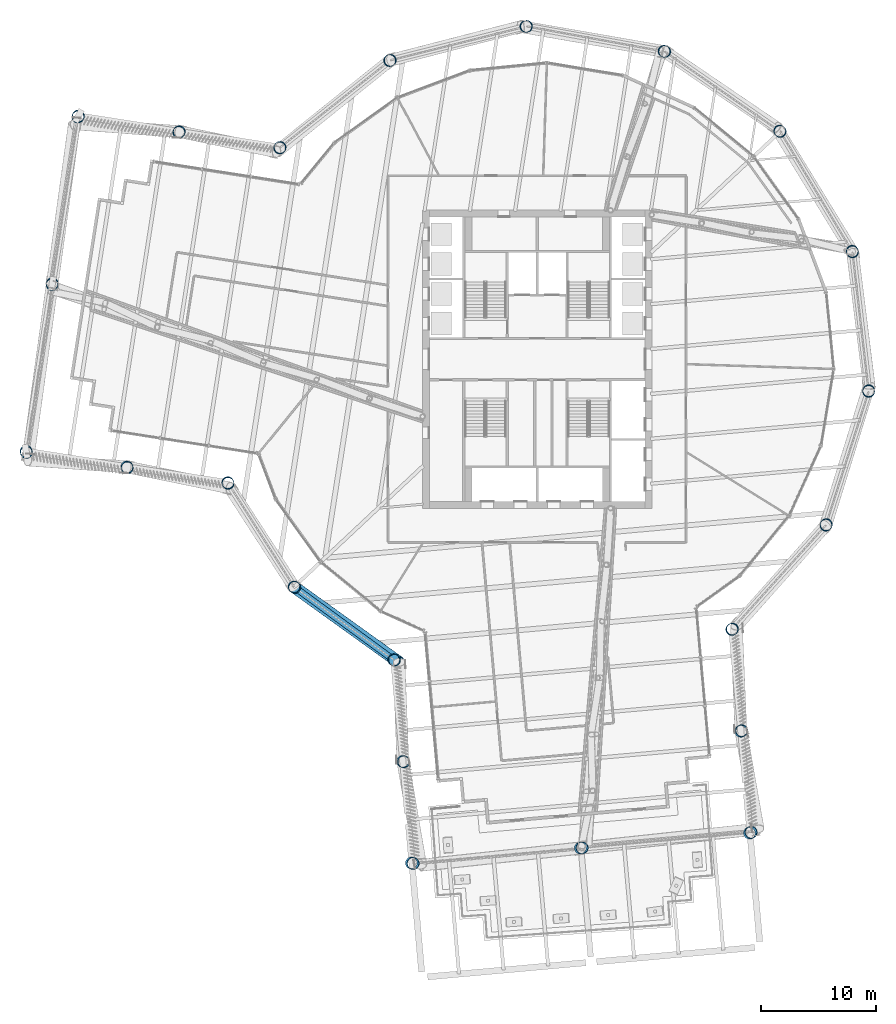
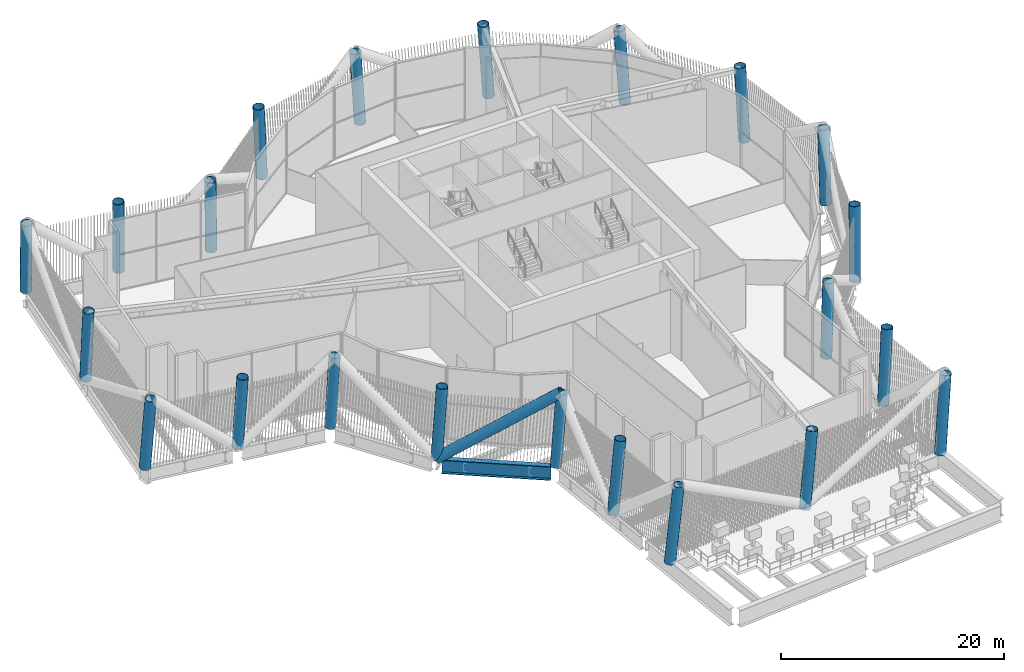
# One storey, part 1 of 55: 22 columns, 1 beam, 1 member.
"""IFC4 building model written with IfcOpenShell, lengths in metres."""

import ifcopenshell
import ifcopenshell.guid

model = None  # the IFC model being written
_history = None  # IfcOwnerHistory: only IFC2X3 demands one
_inside = {}  # id of a spatial element -> (the spatial element, [elements in it])
_under = {}  # id of a project, library or spatial element -> (it, [spatial elements below it])
_declared = {}  # id of a project -> (the project, [libraries it declares])
_typed = {}  # id of a type object -> (the type object, [elements of that type])
_made_of = {}  # id of a material, layer set ... -> (it, [elements and type objects made of it])


def new_model(schema):
    """Start an empty IFC model of exactly this schema.

    Asked for "IFC4X3", IfcOpenShell would pick the latest addendum, in which some entities
    have other attributes; the version numbers below select the first issue.
    IFC2X3 requires an IfcOwnerHistory on every rooted entity: one is made here for all.
    """
    global model, _history
    if schema == "IFC4X3":
        model = ifcopenshell.file(schema_version=(4, 3, 0, 0))
    else:
        model = ifcopenshell.file(schema=schema)
    _inside.clear()
    _under.clear()
    _declared.clear()
    _typed.clear()
    _made_of.clear()
    _history = None
    if model.schema == "IFC2X3":
        org = make("IfcOrganization", Name="unknown")
        user = make(
            "IfcPersonAndOrganization",
            ThePerson=make("IfcPerson", FamilyName="unknown"),
            TheOrganization=org,
        )
        app = make(
            "IfcApplication",
            ApplicationDeveloper=org,
            Version="unknown",
            ApplicationFullName="unknown",
            ApplicationIdentifier="unknown",
        )
        _history = make(
            "IfcOwnerHistory",
            OwningUser=user,
            OwningApplication=app,
            ChangeAction="ADDED",
            CreationDate=0,
        )
    return model


def make(cls, **values):
    """One entity of the class cls with the attributes given. An attribute that is None is left unset."""
    return model.create_entity(
        cls, **{name: value for name, value in values.items() if value is not None}
    )


def rooted(cls, **values):
    """An entity with a GlobalId (a new one), such as an element, a storey or a relation."""
    return make(cls, GlobalId=ifcopenshell.guid.new(), OwnerHistory=_history, **values)


def si_unit(unit_type, name, prefix=None):
    """IfcSIUnit, for example si_unit("LENGTHUNIT", "METRE", prefix="MILLI")."""
    return make("IfcSIUnit", UnitType=unit_type, Prefix=prefix, Name=name)


def assignment(units):
    """IfcUnitAssignment: the units of a project."""
    return None if units is None else make("IfcUnitAssignment", Units=units)


def point(xyz):
    """IfcCartesianPoint."""
    return None if xyz is None else make("IfcCartesianPoint", Coordinates=xyz)


def direction(xyz):
    """IfcDirection."""
    return None if xyz is None else make("IfcDirection", DirectionRatios=xyz)


def frame(location, z_axis=None, x_axis=None):
    """IfcAxis2Placement3D, a coordinate frame: its origin and axes. An axis left out is left unset."""
    return make(
        "IfcAxis2Placement3D",
        Location=point(location),
        Axis=direction(z_axis),
        RefDirection=direction(x_axis),
    )


def frame_2d(location, x_axis=None):
    """IfcAxis2Placement2D, a coordinate frame in the plane: its origin and x axis."""
    return make(
        "IfcAxis2Placement2D", Location=point(location), RefDirection=direction(x_axis)
    )


def origin():
    """The frame at (0, 0, 0) with its axes left unset."""
    return frame((0.0, 0.0, 0.0))


def origin_2d():
    """The frame at (0, 0) in the plane with its x axis left unset."""
    return frame_2d((0.0, 0.0))


def place(relative_to, where):
    """IfcLocalPlacement: puts the frame where relative to a parent placement (None: the world)."""
    return make(
        "IfcLocalPlacement", PlacementRelTo=relative_to, RelativePlacement=where
    )


def context(
    kind, dimensions, precision=None, world=None, true_north=None, identifier=None
):
    """IfcGeometricRepresentationContext, for example the 3D "Model" context."""
    return make(
        "IfcGeometricRepresentationContext",
        ContextIdentifier=identifier,
        ContextType=kind,
        CoordinateSpaceDimension=dimensions,
        Precision=precision,
        WorldCoordinateSystem=world,
        TrueNorth=true_north,
    )


def subcontext(parent, identifier, kind, view, scale=None):
    """IfcGeometricRepresentationSubContext, for example "Body" below "Model"."""
    return make(
        "IfcGeometricRepresentationSubContext",
        ContextIdentifier=identifier,
        ContextType=kind,
        ParentContext=parent,
        TargetScale=scale,
        TargetView=view,
    )


def project(units=None, contexts=None):
    """IfcProject with its units and contexts."""
    return rooted(
        "IfcProject",
        Name="project",
        RepresentationContexts=contexts,
        UnitsInContext=assignment(units),
    )


def spatial(cls, under=None, at=None, **own):
    """A site, building, storey or space (cls), placed at a placement, below another one or the project."""
    s = rooted(cls, ObjectPlacement=at, **own)
    if under is not None:
        _under.setdefault(under.id(), (under, []))[1].append(s)
    return s


def profile(cls, at=None, kind="AREA", **sizes):
    """A parametric profile (cls). Its sizes go by their IFC names, for example OverallWidth=200.0."""
    return make(cls, ProfileType=kind, Position=at, **sizes)


def hollow_circle(**sizes):
    """IfcCircleHollowProfileDef."""
    return profile("IfcCircleHollowProfileDef", **sizes)


def i_section(**sizes):
    """IfcIShapeProfileDef."""
    return profile("IfcIShapeProfileDef", **sizes)


def extrude(swept, where, along, depth):
    """IfcExtrudedAreaSolid: the profile swept, set in the frame where, extruded along a direction by depth."""
    return make(
        "IfcExtrudedAreaSolid",
        SweptArea=swept,
        Position=where,
        ExtrudedDirection=direction(along),
        Depth=depth,
    )


def shape(context_of_items, identifier, shape_type, items):
    """IfcShapeRepresentation: the items that make up one representation, for example the "Body"."""
    return make(
        "IfcShapeRepresentation",
        ContextOfItems=context_of_items,
        RepresentationIdentifier=identifier,
        RepresentationType=shape_type,
        Items=items,
    )


def material(Name=None, Category=None):
    """IfcMaterial."""
    return make("IfcMaterial", Name=Name, Category=Category)


def material_profile(
    of_material, cross_section, Name=None, Category=None, Priority=None
):
    """IfcMaterialProfile: a cross section and its material."""
    return make(
        "IfcMaterialProfile",
        Name=Name,
        Material=of_material,
        Profile=cross_section,
        Priority=Priority,
        Category=Category,
    )


def profile_set(profiles, Name=None, composite=None):
    """IfcMaterialProfileSet."""
    return make(
        "IfcMaterialProfileSet",
        Name=Name,
        MaterialProfiles=profiles,
        CompositeProfile=composite,
    )


def made_of(thing, what):
    """Note that an element or type object is made of a material, layer set ...; save() writes the relation."""
    if what is not None:
        _made_of.setdefault(what.id(), (what, []))[1].append(thing)
    return thing


def type_object(cls, material=None, **own):
    """A type object (cls), such as IfcWallType, which elements share."""
    return made_of(rooted(cls, **own), material)


def element(
    cls,
    number,
    at=None,
    inside=None,
    cuts=None,
    type_object=None,
    material=None,
    context=None,
    identifier="Body",
    shape_type=None,
    held_by="IfcProductDefinitionShape",
    body=None,
    shapes=None,
    **own,
):
    """One element of the class cls, such as IfcWall. Its Tag is "e" and its number.

    at: its placement. inside: the storey or other place that contains it. cuts: it is an
    opening in that element (IfcRelVoidsElement). A single representation is given by context,
    identifier, shape_type and body (its items); several are given by shapes. held_by: the class
    of the entity that holds the representations. save() writes the other relations.
    """
    e = rooted(cls, Tag="e%d" % number, ObjectPlacement=at, **own)
    if body is not None:
        shapes = [shape(context, identifier, shape_type, body)]
    if shapes is not None:
        e.Representation = make(held_by, Representations=shapes)
    if inside is not None:
        _inside.setdefault(inside.id(), (inside, []))[1].append(e)
    if cuts is not None:
        rooted(
            "IfcRelVoidsElement", RelatingBuildingElement=cuts, RelatedOpeningElement=e
        )
    if type_object is not None:
        _typed.setdefault(type_object.id(), (type_object, []))[1].append(e)
    return made_of(e, material)


def aggregate(whole, parts):
    """IfcRelAggregates: a whole, such as a stair, and the parts it consists of."""
    return rooted("IfcRelAggregates", RelatingObject=whole, RelatedObjects=parts)


def save(model, path):
    """Write the relations noted so far, then the file.

    IfcRelAggregates (storeys below a building ...), IfcRelContainedInSpatialStructure (elements
    in a storey), IfcRelDefinesByType, IfcRelAssociatesMaterial and IfcRelDeclares: one each for
    every whole, place, type object, material and project.
    """
    for whole, parts in _under.values():
        aggregate(whole, parts)
    for where, things in _inside.values():
        rooted(
            "IfcRelContainedInSpatialStructure",
            RelatedElements=things,
            RelatingStructure=where,
        )
    for kind, things in _typed.values():
        rooted("IfcRelDefinesByType", RelatedObjects=things, RelatingType=kind)
    for what, things in _made_of.values():
        rooted("IfcRelAssociatesMaterial", RelatedObjects=things, RelatingMaterial=what)
    for by, libraries in _declared.values():
        rooted("IfcRelDeclares", RelatingContext=by, RelatedDefinitions=libraries)
    model.write(path)


model = new_model("IFC4")

# Units and contexts
model_context = context("Model", 3, precision=1e-05, world=origin(), true_north=direction((0.0, 1.0)))
body_context = subcontext(model_context, "Body", "Model", "MODEL_VIEW")
ifc_project = project(units=[si_unit("LENGTHUNIT", "METRE"), si_unit("AREAUNIT", "SQUARE_METRE"), si_unit("VOLUMEUNIT", "CUBIC_METRE"), si_unit("PLANEANGLEUNIT", "RADIAN"), si_unit("MASSUNIT", "GRAM", prefix="KILO")], contexts=[model_context])

# Site, building, storey
site_placement = place(None, origin())
site = spatial("IfcSite", under=ifc_project, at=site_placement, CompositionType="ELEMENT")
building_placement = place(site_placement, origin())
building = spatial("IfcBuilding", under=site, at=building_placement, Name="Tarsis Ring Headquarters", CompositionType="ELEMENT")
storey_placement = place(building_placement, frame((0.0, 0.0, 247.199951171875)))
storey = spatial("IfcBuildingStorey", under=building, at=storey_placement, Name="L58", CompositionType="ELEMENT", Elevation=247.199951171875)

# Columns
ifc_material = material(Name="Structural steel S355", Category="steel")
ifc_material_profile_1 = material_profile(ifc_material, hollow_circle(Radius=0.533447265625, WallThickness=0.044921875, at=origin_2d()), Name="CHS 1067x45")
ifc_profile_set_1 = profile_set([ifc_material_profile_1], Name="Structural steel S355")
column_type = type_object("IfcColumnType", Name="XC Exo column CHS 1067x45", PredefinedType="COLUMN", material=ifc_profile_set_1)
for number, where, z_axis, x_axis, name in (
    (1, (-21.2021484375, -19.856689453125, 0.02490234375), (0.043633527571, -0.045776928925, 0.997998290605), (0.723850007903, 0.689957365392, 0.0), "Exo column XC5 F1"),
    (2, (-12.5087890625, -26.21728515625, 0.02490234375), (0.057290133549, -0.026731312981, 0.997999638028), (0.422832434227, 0.906207885954, 0.0), "Exo column XC5 AK"),
):
    element("IfcColumn", number, at=place(storey_placement, frame(where, z_axis=z_axis, x_axis=x_axis)), inside=storey, type_object=column_type, Name=name, PredefinedType="COLUMN", context=body_context, shape_type="SweptSolid", body=[
        extrude(hollow_circle(Radius=0.533447265625, WallThickness=0.044921875, at=origin_2d()), origin(), (0.0, 0.0, 1.0), 7.97314453125),
    ])
column_1_placement = place(storey_placement, frame((-11.720458984375, -35.081787109375, -0.059814453125), z_axis=(0.076510841147, -0.024797142421, 0.996760348787), x_axis=(0.308311366796, 0.951285499261, 0.0)))
element("IfcColumn", 3, at=column_1_placement, inside=storey, type_object=column_type, Name="Exo column XC5 AI1", PredefinedType="COLUMN", context=body_context, shape_type="SweptSolid", body=[
    extrude(hollow_circle(Radius=0.533447265625, WallThickness=0.044921875, at=origin_2d()), origin(), (0.0, 0.0, 1.0), 8.0634765625),
])
column_2_placement = place(storey_placement, frame((-10.9560546875, -43.941650390625, -0.359619140625), z_axis=(0.095640103632, -0.022889476022, 0.99515277343), x_axis=(0.232756122103, 0.97253513439, 0.0)))
element("IfcColumn", 4, at=column_2_placement, inside=storey, type_object=column_type, Name="Exo column XC5 AT1", PredefinedType="COLUMN", context=body_context, shape_type="SweptSolid", body=[
    extrude(hollow_circle(Radius=0.533447265625, WallThickness=0.044921875, at=origin_2d()), origin(), (0.0, 0.0, 1.0), 8.372802734375),
])
column_3_placement = place(storey_placement, frame((3.7861328125, -42.632568359375, -0.359619140625), z_axis=(0.092522690076, 0.009100592467, 0.995668986681), x_axis=(-0.097888269922, 0.995197410875, 0.0)))
element("IfcColumn", 5, at=column_3_placement, inside=storey, type_object=column_type, Name="Exo column XC5 AT2", PredefinedType="COLUMN", context=body_context, shape_type="SweptSolid", body=[
    extrude(hollow_circle(Radius=0.533447265625, WallThickness=0.044921875, at=origin_2d()), origin(), (0.0, 0.0, 1.0), 8.369873046875),
])
column_4_placement = place(storey_placement, frame((18.5283203125, -41.3232421875, -0.359619140625), z_axis=(0.089312974351, 0.041084551374, 0.995155893441), x_axis=(-0.417910504244, 0.908488200497, 0.0)))
element("IfcColumn", 6, at=column_4_placement, inside=storey, type_object=column_type, Name="Exo column XC5 AT3", PredefinedType="COLUMN", context=body_context, shape_type="SweptSolid", body=[
    extrude(hollow_circle(Radius=0.533447265625, WallThickness=0.044921875, at=origin_2d()), origin(), (0.0, 0.0, 1.0), 8.372802734375),
])
column_5_placement = place(storey_placement, frame((17.76171875, -32.444091796875, -0.059814453125), z_axis=(0.070213125636, 0.039239418208, 0.996759943541), x_axis=(-0.487846667506, 0.872929337921, 0.0)))
element("IfcColumn", 7, at=column_5_placement, inside=storey, type_object=column_type, Name="Exo column XC5 AO1", PredefinedType="COLUMN", context=body_context, shape_type="SweptSolid", body=[
    extrude(hollow_circle(Radius=0.533447265625, WallThickness=0.044921875, at=origin_2d()), origin(), (0.0, 0.0, 1.0), 8.0634765625),
])
for number, where, z_axis, x_axis, name in (
    (8, (16.972900390625, -23.573974609375, 0.02490234375), (0.051012934369, 0.037387030531, 0.997997941118), (-0.591132764229, 0.806574271258, 0.0), "Exo column XC5 AJ"),
    (9, (25.180908203125, -14.482177734375, 0.02490234375), (0.031048714946, 0.055085441999, 0.997998783256), (-0.871148443134, 0.491019745046, 0.0), "Exo column XC5 R1"),
    (10, (28.91162109375, -2.8154296875, 0.02490234375), (0.005603455127, 0.063015905197, 0.99799679207), (-0.996069794521, 0.088571803886, 0.0), "Exo column XC5 R2"),
    (11, (27.501953125, 9.35205078125, 0.02490234375), (-0.02088283387, 0.059708982474, 0.997997367061), (-0.943933799005, -0.330134795344, 0.0), "Exo column XC5 R3"),
    (12, (21.2021484375, 19.856689453125, 0.02490234375), (-0.043633527571, 0.045776928925, 0.997998290605), (-0.723850007903, -0.689957365392, 0.0), "Exo column XC5 R4"),
    (13, (11.132568359375, 26.83056640625, 0.02490234375), (-0.058637276576, 0.02373049052, 0.997997261327), (-0.375143243453, -0.926966853178, 0.0), "Exo column XC5 R5"),
    (14, (-0.91650390625, 29.033935546875, 0.02490234375), (-0.063199680381, -0.002541460015, 0.99799766602), (0.040180703316, -0.999192429455, 0.0), "Exo column XC5 R6"),
    (15, (-12.802490234375, 26.074951171875, 0.02490234375), (-0.056555089967, -0.028354094916, 0.997996777099), (0.448181327825, -0.893942670079, 0.0), "Exo column XC5 R7"),
    (16, (-22.412353515625, 18.479736328125, 0.02490234375), (-0.039806018154, -0.049145122414, 0.997998115159), (0.777075718481, -0.629407124004, 0.0), "Exo column XC5 BJ"),
):
    element("IfcColumn", number, at=place(storey_placement, frame(where, z_axis=z_axis, x_axis=x_axis)), inside=storey, type_object=column_type, Name=name, PredefinedType="COLUMN", context=body_context, shape_type="SweptSolid", body=[
        extrude(hollow_circle(Radius=0.533447265625, WallThickness=0.044921875, at=origin_2d()), origin(), (0.0, 0.0, 1.0), 7.97314453125),
    ])
column_6_placement = place(storey_placement, frame((-31.208251953125, 19.85302734375, 0.031494140625), z_axis=(-0.042569131573, -0.068233111615, 0.996760809581), x_axis=(0.848425894603, -0.529314180206, 0.0)))
element("IfcColumn", 17, at=column_6_placement, inside=storey, type_object=column_type, Name="Exo column XC5 BO1", PredefinedType="COLUMN", context=body_context, shape_type="SweptSolid", body=[
    extrude(hollow_circle(Radius=0.533447265625, WallThickness=0.044921875, at=origin_2d()), origin(), (0.0, 0.0, 1.0), 7.971923828125),
])
column_7_placement = place(storey_placement, frame((-40.004150390625, 21.22607421875, 0.0380859375), z_axis=(-0.045317885654, -0.087236929884, 0.995156272806), x_axis=(0.887405419338, -0.460989828228, 0.0)))
element("IfcColumn", 18, at=column_7_placement, inside=storey, type_object=column_type, Name="Exo column XC5 BT3", PredefinedType="COLUMN", context=body_context, shape_type="SweptSolid", body=[
    extrude(hollow_circle(Radius=0.533447265625, WallThickness=0.044921875, at=origin_2d()), origin(), (0.0, 0.0, 1.0), 7.97314453125),
])
column_8_placement = place(storey_placement, frame((-42.28759765625, 6.603515625, 0.0361328125), z_axis=(-0.013535252441, -0.091990720211, 0.995667868487), x_axis=(0.989347977723, -0.145569842261, 0.0)))
element("IfcColumn", 19, at=column_8_placement, inside=storey, type_object=column_type, Name="Exo column XC5 BT2", PredefinedType="COLUMN", context=body_context, shape_type="SweptSolid", body=[
    extrude(hollow_circle(Radius=0.533447265625, WallThickness=0.044921875, at=origin_2d()), origin(), (0.0, 0.0, 1.0), 7.972412109375),
])
column_9_placement = place(storey_placement, frame((-44.57080078125, -8.01953125, 0.0380859375), z_axis=(0.018219007589, -0.096606670494, 0.995155876724), x_axis=(0.98267771057, 0.18532273781, 0.0)))
element("IfcColumn", 20, at=column_9_placement, inside=storey, type_object=column_type, Name="Exo column XC5 BT1", PredefinedType="COLUMN", context=body_context, shape_type="SweptSolid", body=[
    extrude(hollow_circle(Radius=0.533447265625, WallThickness=0.044921875, at=origin_2d()), origin(), (0.0, 0.0, 1.0), 7.97314453125),
])
column_10_placement = place(storey_placement, frame((-35.775390625, -9.392333984375, 0.031494140625), z_axis=(0.021100766029, -0.077634893879, 0.996758536921), x_axis=(0.964991858193, 0.262279838381, 0.0)))
element("IfcColumn", 21, at=column_10_placement, inside=storey, type_object=column_type, Name="Exo column XC5 BI1", PredefinedType="COLUMN", context=body_context, shape_type="SweptSolid", body=[
    extrude(hollow_circle(Radius=0.533447265625, WallThickness=0.044921875, at=origin_2d()), origin(), (0.0, 0.0, 1.0), 7.971923828125),
])
column_11_placement = place(storey_placement, frame((-26.97998046875, -10.765625, 0.02490234375), z_axis=(0.023944836968, -0.058545432586, 0.997997533617), x_axis=(0.925577797731, 0.378557446562, 0.0)))
element("IfcColumn", 22, at=column_11_placement, inside=storey, type_object=column_type, Name="Exo column XC5 BK", PredefinedType="COLUMN", context=body_context, shape_type="SweptSolid", body=[
    extrude(hollow_circle(Radius=0.533447265625, WallThickness=0.044921875, at=origin_2d()), origin(), (0.0, 0.0, 1.0), 7.97314453125),
])

# Member
member_type = type_object("IfcMemberType", Name="TD Belt truss diagonal CHS 1067x45", PredefinedType="BRACE", material=ifc_profile_set_1)
member_placement = place(storey_placement, frame((-21.203125, -19.85546875, 0.0), z_axis=(0.662237230951, -0.475779858653, 0.57885695646), x_axis=(0.583471765, 0.812133424659, 0.0)))
element("IfcMember", 23, at=member_placement, inside=storey, type_object=member_type, Name="Belt truss diagonal TD5", PredefinedType="BRACE", context=body_context, shape_type="SweptSolid", body=[
    extrude(hollow_circle(Radius=0.533447265625, WallThickness=0.044921875, at=origin_2d()), origin(), (0.0, 0.0, 1.0), 13.8203125),
])

# Beam
ifc_material_profile_2 = material_profile(ifc_material, i_section(OverallWidth=0.550048828125, OverallDepth=1.5, WebThickness=0.030029296875, FlangeThickness=0.050048828125, at=origin_2d()), Name="PG 1500x550x30x50")
ifc_profile_set_2 = profile_set([ifc_material_profile_2], Name="Structural steel S355")
beam_type = type_object("IfcBeamType", Name="XG Ring girder PG 1500x550x30x50", PredefinedType="BEAM", material=ifc_profile_set_2)
beam_placement = place(storey_placement, frame((-20.815673828125, -20.138916015625, -0.75), z_axis=(0.807003426954, -0.59054675419, 0.0), x_axis=(0.59054675419, 0.807003426954, 0.0)))
element("IfcBeam", 24, at=beam_placement, inside=storey, type_object=beam_type, Name="Ring girder XG6", PredefinedType="BEAM", context=body_context, shape_type="SweptSolid", body=[
    extrude(i_section(OverallWidth=0.550048828125, OverallDepth=1.5, WebThickness=0.030029296875, FlangeThickness=0.050048828125, at=origin_2d()), origin(), (0.0, 0.0, 1.0), 9.8115234375),
])

save(model, "model.ifc")
